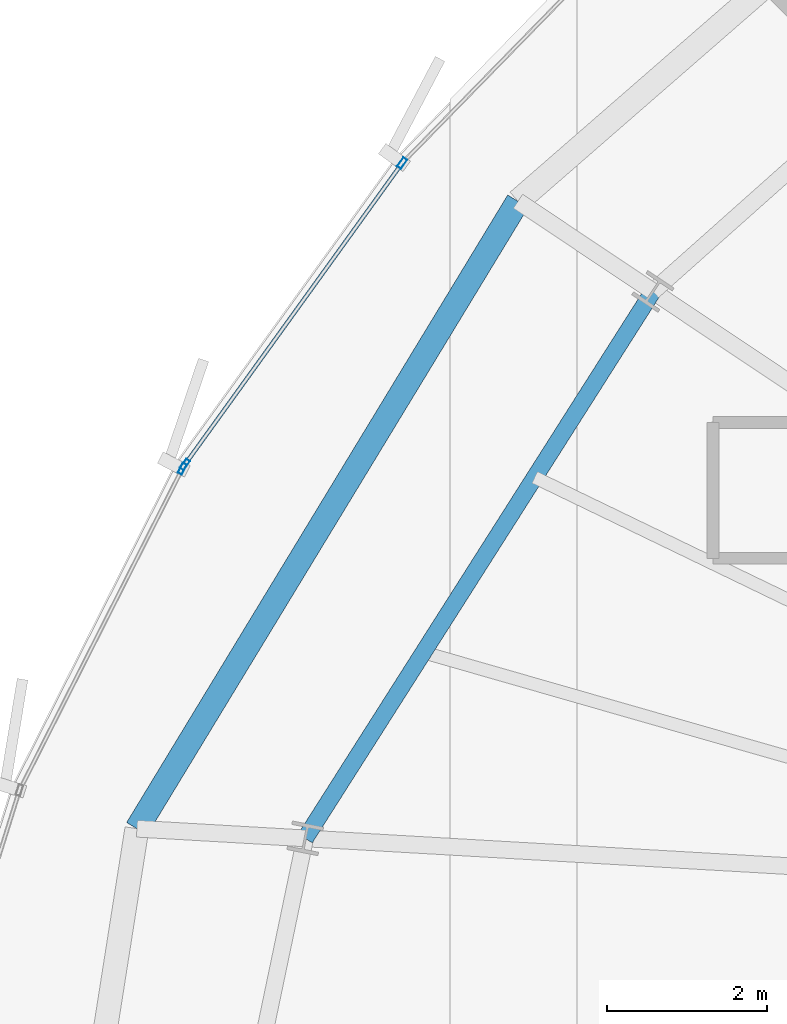
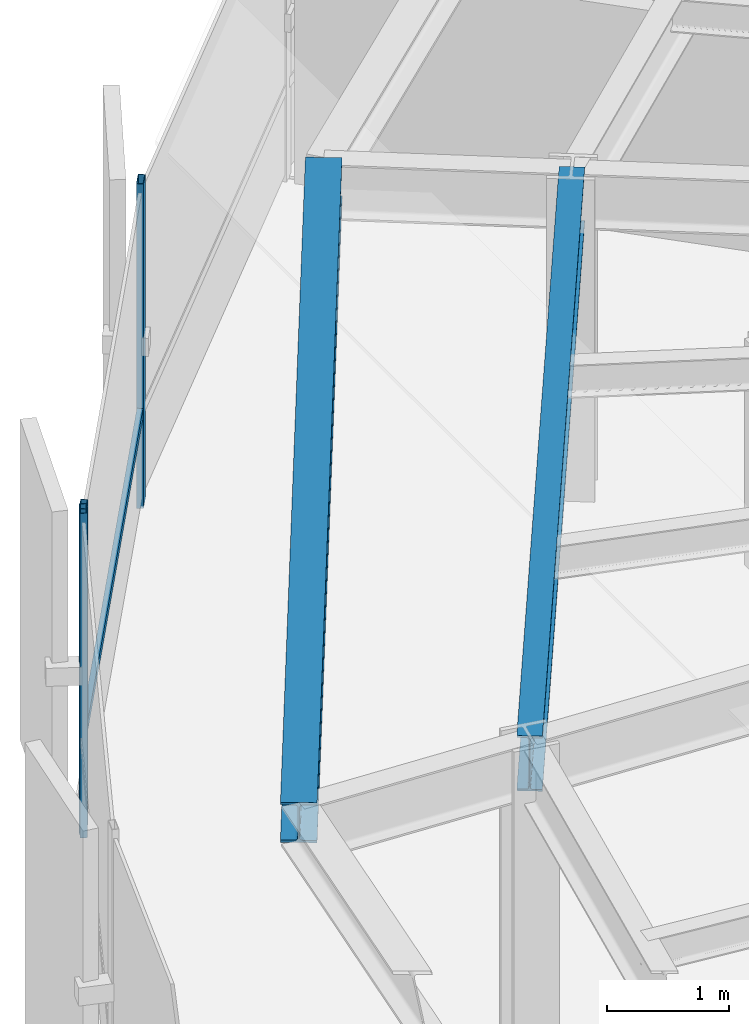
# One storey, part 18 of 35: 4 members, 2 beams, 2 elements without a shape of their own.
"""IFC4 building model written with IfcOpenShell, lengths in metres."""

from ifc_helpers import new_model, si_unit, direction, frame, origin, origin_2d, place, context, subcontext, project, spatial, hollow_rectangle, i_section, extrude, source, transform, mapped, material, layer, layer_set, material_profile, profile_set, type_object, element, aggregate, save


model = new_model("IFC4")

# Units and contexts
model_context = context("Model", 3, precision=1e-05, world=origin(), true_north=direction((0.0, 1.0)))
body_context = subcontext(model_context, "Body", "Model", "MODEL_VIEW")
ifc_project = project(units=[si_unit("LENGTHUNIT", "METRE"), si_unit("AREAUNIT", "SQUARE_METRE"), si_unit("VOLUMEUNIT", "CUBIC_METRE"), si_unit("PLANEANGLEUNIT", "RADIAN"), si_unit("MASSUNIT", "GRAM", prefix="KILO"), si_unit("THERMODYNAMICTEMPERATUREUNIT", "KELVIN")], contexts=[model_context])

# Site, building, storey
site_placement = place(None, origin())
site = spatial("IfcSite", under=ifc_project, at=site_placement, CompositionType="ELEMENT")
building_placement = place(site_placement, origin())
building = spatial("IfcBuilding", under=site, at=building_placement, Name="Kethvar Cultural Tower", CompositionType="ELEMENT")
storey_placement = place(building_placement, frame((0.0, 0.0, 167.85009765625)))
storey = spatial("IfcBuildingStorey", under=building, at=storey_placement, Name="L43", CompositionType="ELEMENT", Elevation=167.85009765625)

# Beams
ifc_material_1 = material(Name="Steel S355J2", Category="steel")
ifc_material_profile_1 = material_profile(ifc_material_1, i_section(OverallWidth=0.2099609375, OverallDepth=0.550048828125, WebThickness=0.010986328125, FlangeThickness=0.01708984375, FilletRadius=0.02392578125, at=origin_2d()), Name="Steel S355J2 — IPE550")
ifc_profile_set_1 = profile_set([ifc_material_profile_1], Name="Steel S355J2 — IPE550")
beam_type_1 = type_object("IfcBeamType", Name="BM-IPE550", PredefinedType="BEAM", material=ifc_profile_set_1)
shared_shape_1 = source(origin(), body_context, "Body", "SweptSolid", [
    extrude(i_section(OverallWidth=0.2099609375, OverallDepth=0.550048828125, WebThickness=0.010986328125, FlangeThickness=0.01708984375, FilletRadius=0.02392578125, at=origin_2d()), origin(), (0.0, 0.0, 1.0), 8.122314453125),
])
beam_1_placement = place(storey_placement, frame((30.345947265625, 38.794189453125, 2.962890625), z_axis=(-0.536478664647, -0.843913883272, 0.0), x_axis=(0.843913883272, -0.536478664647, 0.0)))
element("IfcBeam", 1, at=beam_1_placement, inside=storey, type_object=beam_type_1, Name="L43 Column Ring Tie Beam CR-07", PredefinedType="BEAM", context=body_context, shape_type="MappedRepresentation", body=[
    mapped(shared_shape_1, transform((0.0, 0.0, 0.0), scale=1.0)),
])
ifc_material_profile_2 = material_profile(ifc_material_1, i_section(OverallWidth=0.300048828125, OverallDepth=0.39990234375, WebThickness=0.013427734375, FlangeThickness=0.02392578125, FilletRadius=0.027099609375, at=origin_2d()), Name="Steel S355J2 — HEB400")
ifc_profile_set_2 = profile_set([ifc_material_profile_2], Name="Steel S355J2 — HEB400")
beam_type_2 = type_object("IfcBeamType", Name="BM-SP400", PredefinedType="SPANDREL", material=ifc_profile_set_2)
shared_shape_2 = source(origin(), body_context, "Body", "SweptSolid", [
    extrude(i_section(OverallWidth=0.300048828125, OverallDepth=0.39990234375, WebThickness=0.013427734375, FlangeThickness=0.02392578125, FilletRadius=0.027099609375, at=origin_2d()), origin(), (0.0, 0.0, 1.0), 9.199951171875),
])
beam_2_placement = place(storey_placement, frame((28.65478515625, 39.92431640625, 3.037841796875), z_axis=(-0.519066077441, -0.854734114944, 0.0), x_axis=(0.854734114944, -0.519066077441, 0.0)))
element("IfcBeam", 2, at=beam_2_placement, inside=storey, type_object=beam_type_2, Name="L43 Perimeter Spandrel Beam SP-07", PredefinedType="SPANDREL", context=body_context, shape_type="MappedRepresentation", body=[
    mapped(shared_shape_2, transform((0.0, 0.0, 0.0), scale=1.0)),
])

# Curtain wall, members
ifc_material_2 = material(Name="Aluminium 6063-T6", Category="aluminium")
ifc_layer = layer(ifc_material_2, 0.179931640625, Name="Aluminium 6063-T6", Category="aluminium")
ifc_layer_set = layer_set([ifc_layer], Name="Aluminium 6063-T6 (180 mm)")
curtain_wall_type = type_object("IfcCurtainWallType", Name="CW-SYS-04-Z34", PredefinedType="NOTDEFINED", material=ifc_layer_set)
curtain_wall_1_placement = place(storey_placement, origin())
curtain_wall_1 = element("IfcCurtainWall", 3, at=curtain_wall_1_placement, inside=storey, type_object=curtain_wall_type, Name="L43 Curtain Wall Run 02", PredefinedType="NOTDEFINED")
ifc_material_profile_3 = material_profile(ifc_material_2, hollow_rectangle(XDim=0.06005859375, YDim=0.139892578125, WallThickness=0.0048828125, at=origin_2d()), Name="Aluminium 6063-T6 — RHS140x60x5")
ifc_profile_set_3 = profile_set([ifc_material_profile_3], Name="Aluminium 6063-T6 — RHS140x60x5")
member_type_1 = type_object("IfcMemberType", Name="CW-SYS-04-Z34-MUL", PredefinedType="MULLION", material=ifc_profile_set_3)
shared_shape_3 = source(origin(), body_context, "Body", "SweptSolid", [
    extrude(hollow_rectangle(XDim=0.06005859375, YDim=0.139892578125, WallThickness=0.0048828125, at=origin_2d()), origin(), (0.0, 0.0, 1.0), 3.239990234375),
])
member_1_placement = place(storey_placement, frame((27.20361328125, 40.40234375, 0.0), z_axis=(0.0, 0.0, 1.0), x_axis=(0.811257753702, -0.584688683882, 0.0)))
member_1 = element("IfcMember", 4, at=member_1_placement, type_object=member_type_1, Name="CW-L43-R02 Mullion 6", PredefinedType="MULLION", context=body_context, shape_type="MappedRepresentation", body=[
    mapped(shared_shape_3, transform((0.0, 0.0, 0.0), scale=1.0)),
])
member_2_placement = place(storey_placement, frame((24.47998046875, 36.623291015625, 0.0), z_axis=(0.0, 0.0, 1.0), x_axis=(0.811257753702, -0.584688683882, 0.0)))
member_2 = element("IfcMember", 5, at=member_2_placement, type_object=member_type_1, Name="CW-L43-R02 Mullion 7", PredefinedType="MULLION", context=body_context, shape_type="MappedRepresentation", body=[
    mapped(shared_shape_3, transform((0.0, 0.0, 0.0), scale=1.0)),
])

# Curtain wall, member
curtain_wall_2_placement = place(storey_placement, origin())
curtain_wall_2 = element("IfcCurtainWall", 6, at=curtain_wall_2_placement, inside=storey, type_object=curtain_wall_type, Name="L43 Curtain Wall Run 03", PredefinedType="NOTDEFINED")
member_3_placement = place(storey_placement, frame((24.448486328125, 36.571533203125, 0.0), z_axis=(0.0, 0.0, 1.0), x_axis=(0.892239306195, -0.451562864373, 0.0)))
member_3 = element("IfcMember", 7, at=member_3_placement, type_object=member_type_1, Name="CW-L43-R03 Mullion 1", PredefinedType="MULLION", context=body_context, shape_type="MappedRepresentation", body=[
    mapped(shared_shape_3, transform((0.0, 0.0, 0.0), scale=1.0)),
])
aggregate(curtain_wall_2, [member_3])

# Member
ifc_material_profile_4 = material_profile(ifc_material_2, hollow_rectangle(XDim=0.050048828125, YDim=0.10009765625, WallThickness=0.00390625, at=origin_2d()), Name="Aluminium 6063-T6 — RHS100x50x4")
ifc_profile_set_4 = profile_set([ifc_material_profile_4], Name="Aluminium 6063-T6 — RHS100x50x4")
member_type_2 = type_object("IfcMemberType", Name="CW-SYS-04-Z34-TRN", PredefinedType="USERDEFINED", material=ifc_profile_set_4)
shared_shape_4 = source(origin(), body_context, "Body", "SweptSolid", [
    extrude(hollow_rectangle(XDim=0.050048828125, YDim=0.10009765625, WallThickness=0.00390625, at=origin_2d()), origin(), (0.0, 0.0, 1.0), 4.610595703125),
])
member_4_placement = place(storey_placement, frame((27.178466796875, 40.3671875, 0.949951171875), z_axis=(-0.584684078495, -0.81126107287, 0.0), x_axis=(0.81126107287, -0.584684078495, 0.0)))
member_4 = element("IfcMember", 8, at=member_4_placement, type_object=member_type_2, Name="CW-L43-R02 Transom 6", ObjectType="TRANSOM", PredefinedType="USERDEFINED", context=body_context, shape_type="MappedRepresentation", body=[
    mapped(shared_shape_4, transform((0.0, 0.0, 0.0), scale=1.0)),
])

aggregate(curtain_wall_1, [member_1, member_2, member_4])

save(model, "model.ifc")
